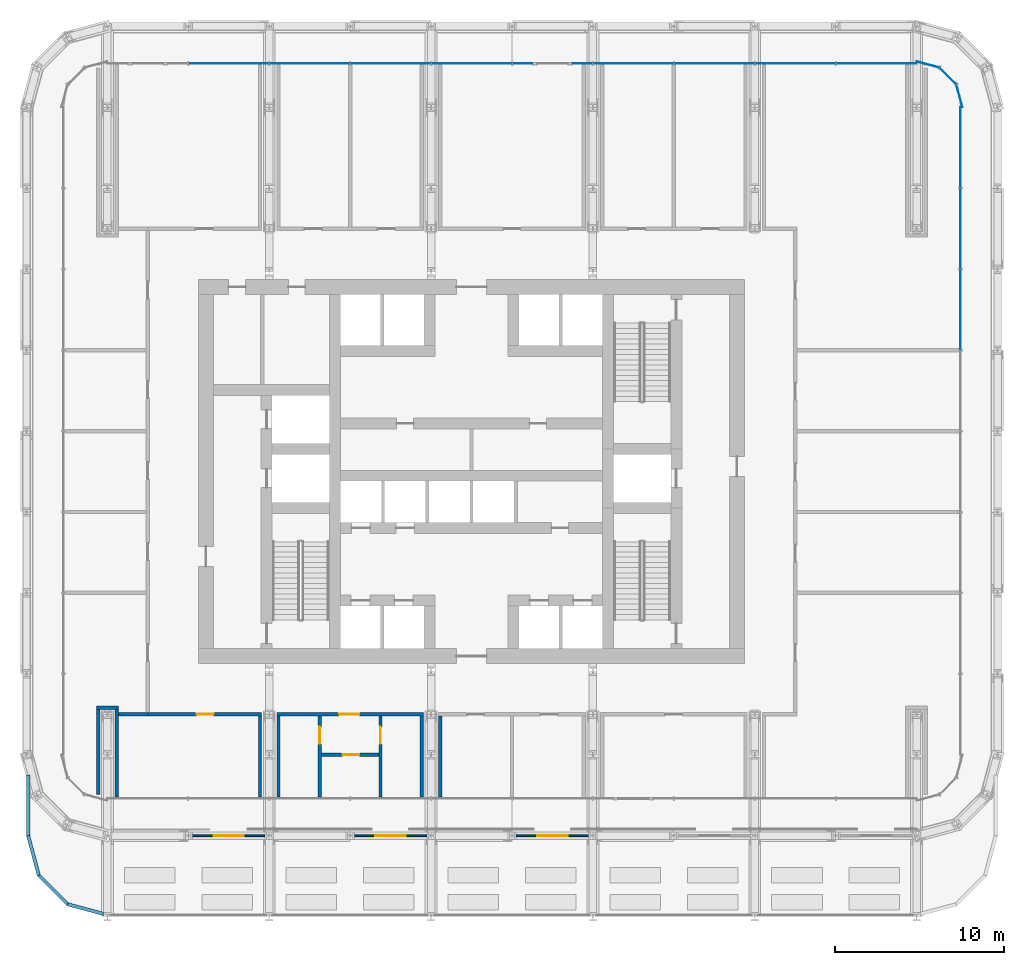
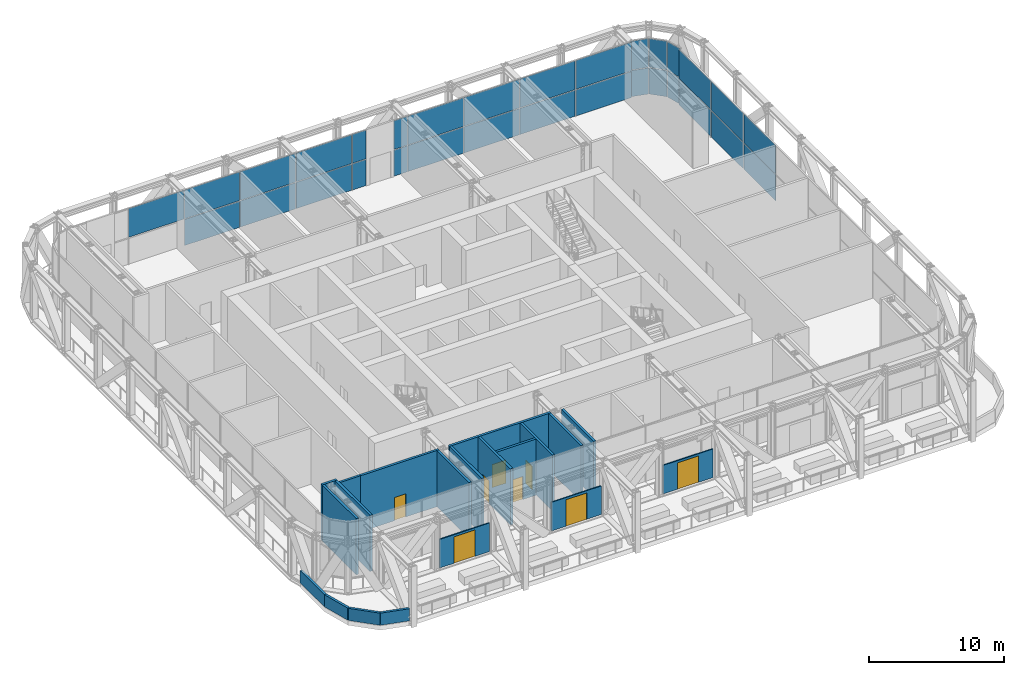
# One storey, part 14 of 23: 31 plates, 20 walls, 8 doors, 8 openings, 3 elements without a shape of their own.
"""IFC4 building model written with IfcOpenShell, lengths in metres."""

from ifc_helpers import new_model, si_unit, direction, frame, frame_2d, origin, origin_2d, place, context, subcontext, project, spatial, rectangle, extrude, material, layer, layer_set, type_object, element, fill, aggregate, save


model = new_model("IFC4")

# Units and contexts
model_context = context("Model", 3, precision=1e-05, world=origin(), true_north=direction((0.0, 1.0)))
body_context = subcontext(model_context, "Body", "Model", "MODEL_VIEW")
ifc_project = project(units=[si_unit("LENGTHUNIT", "METRE"), si_unit("AREAUNIT", "SQUARE_METRE"), si_unit("VOLUMEUNIT", "CUBIC_METRE"), si_unit("PLANEANGLEUNIT", "RADIAN"), si_unit("MASSUNIT", "GRAM", prefix="KILO")], contexts=[model_context])

# Site, building, storey
site_placement = place(None, origin())
site = spatial("IfcSite", under=ifc_project, at=site_placement, CompositionType="ELEMENT")
building_placement = place(site_placement, origin())
building = spatial("IfcBuilding", under=site, at=building_placement, Name="Madar Terraces", CompositionType="ELEMENT")
storey_placement = place(building_placement, frame((0.0, 0.0, 83.800048828125)))
storey = spatial("IfcBuildingStorey", under=building, at=storey_placement, Name="L21", CompositionType="ELEMENT", Elevation=83.800048828125)

# Curtain wall, plates
ifc_material_1 = material(Name="Glass, ceramic frit dark grey, with black aluminium frame", Category="aluminium")
ifc_layer_1 = layer(ifc_material_1, 0.199951171875)
ifc_layer_set_1 = layer_set([ifc_layer_1], Name="Facade curtain wall, tall glazing")
curtain_wall_type = type_object("IfcCurtainWallType", Name="Facade curtain wall, tall glazing", PredefinedType="NOTDEFINED", material=ifc_layer_set_1)
curtain_wall_1_placement = place(storey_placement, origin())
curtain_wall_1 = element("IfcCurtainWall", 1, at=curtain_wall_1_placement, inside=storey, type_object=curtain_wall_type, Name="Outer skin curtain wall east bay 1", PredefinedType="NOTDEFINED")
ifc_material_2 = material(Name="Glass, ceramic frit dark grey", Category="glass")
ifc_layer_2 = layer(ifc_material_2, 0.028076171875)
ifc_layer_set_2 = layer_set([ifc_layer_2], Name="Facade glass panel 28")
plate_type = type_object("IfcPlateType", Name="Facade glass panel 28", PredefinedType="CURTAIN_PANEL", material=ifc_layer_set_2)
plate_1_placement = place(storey_placement, frame((60.199951171875, 36.0, 0.0), z_axis=(0.0, 0.0, 1.0), x_axis=(0.0, 1.0, 0.0)))
plate_1 = element("IfcPlate", 2, at=plate_1_placement, type_object=plate_type, Name="Panel 11", PredefinedType="CURTAIN_PANEL", context=body_context, shape_type="SweptSolid", body=[
    extrude(rectangle(XDim=4.739990234375, YDim=0.028076171875, at=origin_2d()), origin(), (0.0, 0.0, 1.0), 2.3701171875),
])
plate_2_placement = place(storey_placement, frame((60.199951171875, 36.0, 2.4296875), z_axis=(0.0, 0.0, 1.0), x_axis=(0.0, 1.0, 0.0)))
plate_2 = element("IfcPlate", 3, at=plate_2_placement, type_object=plate_type, Name="Panel 12", PredefinedType="CURTAIN_PANEL", context=body_context, shape_type="SweptSolid", body=[
    extrude(rectangle(XDim=4.739990234375, YDim=0.028076171875, at=origin_2d()), origin(), (0.0, 0.0, 1.0), 2.610107421875),
])
plate_3_placement = place(storey_placement, frame((60.199951171875, 40.800048828125, 0.0), z_axis=(0.0, 0.0, 1.0), x_axis=(0.0, 1.0, 0.0)))
plate_3 = element("IfcPlate", 4, at=plate_3_placement, type_object=plate_type, Name="Panel 13", PredefinedType="CURTAIN_PANEL", context=body_context, shape_type="SweptSolid", body=[
    extrude(rectangle(XDim=4.739990234375, YDim=0.028076171875, at=origin_2d()), origin(), (0.0, 0.0, 1.0), 2.3701171875),
])
plate_4_placement = place(storey_placement, frame((60.199951171875, 40.800048828125, 2.4296875), z_axis=(0.0, 0.0, 1.0), x_axis=(0.0, 1.0, 0.0)))
plate_4 = element("IfcPlate", 5, at=plate_4_placement, type_object=plate_type, Name="Panel 14", PredefinedType="CURTAIN_PANEL", context=body_context, shape_type="SweptSolid", body=[
    extrude(rectangle(XDim=4.739990234375, YDim=0.028076171875, at=origin_2d()), origin(), (0.0, 0.0, 1.0), 2.610107421875),
])
plate_5_placement = place(storey_placement, frame((60.199951171875, 45.614990234375, 0.0), z_axis=(0.0, 0.0, 1.0), x_axis=(0.0, 1.0, 0.0)))
plate_5 = element("IfcPlate", 6, at=plate_5_placement, type_object=plate_type, Name="Panel 15", PredefinedType="CURTAIN_PANEL", context=body_context, shape_type="SweptSolid", body=[
    extrude(rectangle(XDim=4.77001953125, YDim=0.028076171875, at=origin_2d()), origin(), (0.0, 0.0, 1.0), 2.3701171875),
])
plate_6_placement = place(storey_placement, frame((60.199951171875, 45.614990234375, 2.4296875), z_axis=(0.0, 0.0, 1.0), x_axis=(0.0, 1.0, 0.0)))
plate_6 = element("IfcPlate", 7, at=plate_6_placement, type_object=plate_type, Name="Panel 16", PredefinedType="CURTAIN_PANEL", context=body_context, shape_type="SweptSolid", body=[
    extrude(rectangle(XDim=4.77001953125, YDim=0.028076171875, at=origin_2d()), origin(), (0.0, 0.0, 1.0), 2.610107421875),
])
aggregate(curtain_wall_1, [plate_1, plate_2, plate_3, plate_4, plate_5, plate_6])

curtain_wall_2_placement = place(storey_placement, origin())
curtain_wall_2 = element("IfcCurtainWall", 8, at=curtain_wall_2_placement, inside=storey, type_object=curtain_wall_type, Name="Outer skin curtain wall north bay 1", PredefinedType="NOTDEFINED")
plate_7_placement = place(storey_placement, frame((55.215087890625, 50.60009765625, 0.0), z_axis=(0.0, 0.0, 1.0), x_axis=(-1.0, 0.0, 0.0)))
plate_7 = element("IfcPlate", 9, at=plate_7_placement, type_object=plate_type, Name="Panel 1", PredefinedType="CURTAIN_PANEL", context=body_context, shape_type="SweptSolid", body=[
    extrude(rectangle(XDim=4.77001953125, YDim=0.028076171875, at=origin_2d()), origin(), (0.0, 0.0, 1.0), 2.3701171875),
])
plate_8_placement = place(storey_placement, frame((55.215087890625, 50.60009765625, 2.4296875), z_axis=(0.0, 0.0, 1.0), x_axis=(-1.0, 0.0, 0.0)))
plate_8 = element("IfcPlate", 10, at=plate_8_placement, type_object=plate_type, Name="Panel 2", PredefinedType="CURTAIN_PANEL", context=body_context, shape_type="SweptSolid", body=[
    extrude(rectangle(XDim=4.77001953125, YDim=0.028076171875, at=origin_2d()), origin(), (0.0, 0.0, 1.0), 2.610107421875),
])
plate_9_placement = place(storey_placement, frame((50.39990234375, 50.60009765625, 0.0), z_axis=(0.0, 0.0, 1.0), x_axis=(-1.0, 0.0, 0.0)))
plate_9 = element("IfcPlate", 11, at=plate_9_placement, type_object=plate_type, Name="Panel 3", PredefinedType="CURTAIN_PANEL", context=body_context, shape_type="SweptSolid", body=[
    extrude(rectangle(XDim=4.739990234375, YDim=0.028076171875, at=origin_2d()), origin(), (0.0, 0.0, 1.0), 2.3701171875),
])
plate_10_placement = place(storey_placement, frame((50.39990234375, 50.60009765625, 2.4296875), z_axis=(0.0, 0.0, 1.0), x_axis=(-1.0, 0.0, 0.0)))
plate_10 = element("IfcPlate", 12, at=plate_10_placement, type_object=plate_type, Name="Panel 4", PredefinedType="CURTAIN_PANEL", context=body_context, shape_type="SweptSolid", body=[
    extrude(rectangle(XDim=4.739990234375, YDim=0.028076171875, at=origin_2d()), origin(), (0.0, 0.0, 1.0), 2.610107421875),
])
plate_11_placement = place(storey_placement, frame((45.60009765625, 50.60009765625, 0.0), z_axis=(0.0, 0.0, 1.0), x_axis=(-1.0, 0.0, 0.0)))
plate_11 = element("IfcPlate", 13, at=plate_11_placement, type_object=plate_type, Name="Panel 5", PredefinedType="CURTAIN_PANEL", context=body_context, shape_type="SweptSolid", body=[
    extrude(rectangle(XDim=4.739990234375, YDim=0.028076171875, at=origin_2d()), origin(), (0.0, 0.0, 1.0), 2.3701171875),
])
plate_12_placement = place(storey_placement, frame((45.60009765625, 50.60009765625, 2.4296875), z_axis=(0.0, 0.0, 1.0), x_axis=(-1.0, 0.0, 0.0)))
plate_12 = element("IfcPlate", 14, at=plate_12_placement, type_object=plate_type, Name="Panel 6", PredefinedType="CURTAIN_PANEL", context=body_context, shape_type="SweptSolid", body=[
    extrude(rectangle(XDim=4.739990234375, YDim=0.028076171875, at=origin_2d()), origin(), (0.0, 0.0, 1.0), 2.610107421875),
])
plate_13_placement = place(storey_placement, frame((40.800048828125, 50.60009765625, 0.0), z_axis=(0.0, 0.0, 1.0), x_axis=(-1.0, 0.0, 0.0)))
plate_13 = element("IfcPlate", 15, at=plate_13_placement, type_object=plate_type, Name="Panel 7", PredefinedType="CURTAIN_PANEL", context=body_context, shape_type="SweptSolid", body=[
    extrude(rectangle(XDim=4.739990234375, YDim=0.028076171875, at=origin_2d()), origin(), (0.0, 0.0, 1.0), 2.3701171875),
])
plate_14_placement = place(storey_placement, frame((40.800048828125, 50.60009765625, 2.4296875), z_axis=(0.0, 0.0, 1.0), x_axis=(-1.0, 0.0, 0.0)))
plate_14 = element("IfcPlate", 16, at=plate_14_placement, type_object=plate_type, Name="Panel 8", PredefinedType="CURTAIN_PANEL", context=body_context, shape_type="SweptSolid", body=[
    extrude(rectangle(XDim=4.739990234375, YDim=0.028076171875, at=origin_2d()), origin(), (0.0, 0.0, 1.0), 2.610107421875),
])
plate_15_placement = place(storey_placement, frame((37.784912109375, 50.60009765625, 0.0), z_axis=(0.0, 0.0, 1.0), x_axis=(-1.0, 0.0, 0.0)))
plate_15 = element("IfcPlate", 17, at=plate_15_placement, type_object=plate_type, Name="Panel 9", PredefinedType="CURTAIN_PANEL", context=body_context, shape_type="SweptSolid", body=[
    extrude(rectangle(XDim=1.169921875, YDim=0.028076171875, at=origin_2d()), origin(), (0.0, 0.0, 1.0), 2.3701171875),
])
plate_16_placement = place(storey_placement, frame((37.784912109375, 50.60009765625, 2.4296875), z_axis=(0.0, 0.0, 1.0), x_axis=(-1.0, 0.0, 0.0)))
plate_16 = element("IfcPlate", 18, at=plate_16_placement, type_object=plate_type, Name="Panel 10", PredefinedType="CURTAIN_PANEL", context=body_context, shape_type="SweptSolid", body=[
    extrude(rectangle(XDim=1.169921875, YDim=0.028076171875, at=origin_2d()), origin(), (0.0, 0.0, 1.0), 2.610107421875),
])
plate_17_placement = place(storey_placement, frame((34.215087890625, 50.60009765625, 0.0), z_axis=(0.0, 0.0, 1.0), x_axis=(-1.0, 0.0, 0.0)))
plate_17 = element("IfcPlate", 19, at=plate_17_placement, type_object=plate_type, Name="Panel 11", PredefinedType="CURTAIN_PANEL", context=body_context, shape_type="SweptSolid", body=[
    extrude(rectangle(XDim=1.169921875, YDim=0.028076171875, at=origin_2d()), origin(), (0.0, 0.0, 1.0), 2.3701171875),
])
plate_18_placement = place(storey_placement, frame((34.215087890625, 50.60009765625, 2.4296875), z_axis=(0.0, 0.0, 1.0), x_axis=(-1.0, 0.0, 0.0)))
plate_18 = element("IfcPlate", 20, at=plate_18_placement, type_object=plate_type, Name="Panel 12", PredefinedType="CURTAIN_PANEL", context=body_context, shape_type="SweptSolid", body=[
    extrude(rectangle(XDim=1.169921875, YDim=0.028076171875, at=origin_2d()), origin(), (0.0, 0.0, 1.0), 2.610107421875),
])
plate_19_placement = place(storey_placement, frame((31.199951171875, 50.60009765625, 0.0), z_axis=(0.0, 0.0, 1.0), x_axis=(-1.0, 0.0, 0.0)))
plate_19 = element("IfcPlate", 21, at=plate_19_placement, type_object=plate_type, Name="Panel 13", PredefinedType="CURTAIN_PANEL", context=body_context, shape_type="SweptSolid", body=[
    extrude(rectangle(XDim=4.739990234375, YDim=0.028076171875, at=origin_2d()), origin(), (0.0, 0.0, 1.0), 2.3701171875),
])
plate_20_placement = place(storey_placement, frame((31.199951171875, 50.60009765625, 2.4296875), z_axis=(0.0, 0.0, 1.0), x_axis=(-1.0, 0.0, 0.0)))
plate_20 = element("IfcPlate", 22, at=plate_20_placement, type_object=plate_type, Name="Panel 14", PredefinedType="CURTAIN_PANEL", context=body_context, shape_type="SweptSolid", body=[
    extrude(rectangle(XDim=4.739990234375, YDim=0.028076171875, at=origin_2d()), origin(), (0.0, 0.0, 1.0), 2.610107421875),
])
plate_21_placement = place(storey_placement, frame((26.39990234375, 50.60009765625, 0.0), z_axis=(0.0, 0.0, 1.0), x_axis=(-1.0, 0.0, 0.0)))
plate_21 = element("IfcPlate", 23, at=plate_21_placement, type_object=plate_type, Name="Panel 15", PredefinedType="CURTAIN_PANEL", context=body_context, shape_type="SweptSolid", body=[
    extrude(rectangle(XDim=4.739990234375, YDim=0.028076171875, at=origin_2d()), origin(), (0.0, 0.0, 1.0), 2.3701171875),
])
plate_22_placement = place(storey_placement, frame((26.39990234375, 50.60009765625, 2.4296875), z_axis=(0.0, 0.0, 1.0), x_axis=(-1.0, 0.0, 0.0)))
plate_22 = element("IfcPlate", 24, at=plate_22_placement, type_object=plate_type, Name="Panel 16", PredefinedType="CURTAIN_PANEL", context=body_context, shape_type="SweptSolid", body=[
    extrude(rectangle(XDim=4.739990234375, YDim=0.028076171875, at=origin_2d()), origin(), (0.0, 0.0, 1.0), 2.610107421875),
])
plate_23_placement = place(storey_placement, frame((21.60009765625, 50.60009765625, 0.0), z_axis=(0.0, 0.0, 1.0), x_axis=(-1.0, 0.0, 0.0)))
plate_23 = element("IfcPlate", 25, at=plate_23_placement, type_object=plate_type, Name="Panel 17", PredefinedType="CURTAIN_PANEL", context=body_context, shape_type="SweptSolid", body=[
    extrude(rectangle(XDim=4.739990234375, YDim=0.028076171875, at=origin_2d()), origin(), (0.0, 0.0, 1.0), 2.3701171875),
])
plate_24_placement = place(storey_placement, frame((21.60009765625, 50.60009765625, 2.4296875), z_axis=(0.0, 0.0, 1.0), x_axis=(-1.0, 0.0, 0.0)))
plate_24 = element("IfcPlate", 26, at=plate_24_placement, type_object=plate_type, Name="Panel 18", PredefinedType="CURTAIN_PANEL", context=body_context, shape_type="SweptSolid", body=[
    extrude(rectangle(XDim=4.739990234375, YDim=0.028076171875, at=origin_2d()), origin(), (0.0, 0.0, 1.0), 2.610107421875),
])
plate_25_placement = place(storey_placement, frame((16.800048828125, 50.60009765625, 2.4296875), z_axis=(0.0, 0.0, 1.0), x_axis=(-1.0, 0.0, 0.0)))
plate_25 = element("IfcPlate", 27, at=plate_25_placement, type_object=plate_type, Name="Panel 20", PredefinedType="CURTAIN_PANEL", context=body_context, shape_type="SweptSolid", body=[
    extrude(rectangle(XDim=4.739990234375, YDim=0.028076171875, at=origin_2d()), origin(), (0.0, 0.0, 1.0), 2.610107421875),
])
aggregate(curtain_wall_2, [plate_7, plate_8, plate_9, plate_10, plate_11, plate_12, plate_13, plate_14, plate_15, plate_16, plate_17, plate_18, plate_19, plate_20, plate_21, plate_22, plate_23, plate_24, plate_25])

curtain_wall_3_placement = place(storey_placement, origin())
curtain_wall_3 = element("IfcCurtainWall", 28, at=curtain_wall_3_placement, inside=storey, type_object=curtain_wall_type, Name="Outer skin curtain wall north-east corner", PredefinedType="NOTDEFINED")
plate_26_placement = place(storey_placement, frame((60.1416015625, 48.66552734375, 0.0), z_axis=(0.0, 0.0, 1.0), x_axis=(-0.258819110244, 0.965925808834, 0.0)))
plate_26 = element("IfcPlate", 29, at=plate_26_placement, type_object=plate_type, Name="Panel 1", PredefinedType="CURTAIN_PANEL", context=body_context, shape_type="SweptSolid", body=[
    extrude(rectangle(XDim=1.3779296875, YDim=0.028076171875, at=origin_2d()), origin(), (0.0, 0.0, 1.0), 2.3701171875),
])
plate_27_placement = place(storey_placement, frame((60.1416015625, 48.66552734375, 2.4296875), z_axis=(0.0, 0.0, 1.0), x_axis=(-0.258819110244, 0.965925808834, 0.0)))
plate_27 = element("IfcPlate", 30, at=plate_27_placement, type_object=plate_type, Name="Panel 2", PredefinedType="CURTAIN_PANEL", context=body_context, shape_type="SweptSolid", body=[
    extrude(rectangle(XDim=1.3779296875, YDim=0.028076171875, at=origin_2d()), origin(), (0.0, 0.0, 1.0), 2.610107421875),
])
plate_28_placement = place(storey_placement, frame((59.457763671875, 49.85791015625, 0.0), z_axis=(0.0, 0.0, 1.0), x_axis=(-0.707106781187, 0.707106781187, 0.0)))
plate_28 = element("IfcPlate", 31, at=plate_28_placement, type_object=plate_type, Name="Panel 3", PredefinedType="CURTAIN_PANEL", context=body_context, shape_type="SweptSolid", body=[
    extrude(rectangle(XDim=1.347900390625, YDim=0.028076171875, at=origin_2d()), origin(), (0.0, 0.0, 1.0), 2.3701171875),
])
plate_29_placement = place(storey_placement, frame((59.457763671875, 49.85791015625, 2.4296875), z_axis=(0.0, 0.0, 1.0), x_axis=(-0.707106781187, 0.707106781187, 0.0)))
plate_29 = element("IfcPlate", 32, at=plate_29_placement, type_object=plate_type, Name="Panel 4", PredefinedType="CURTAIN_PANEL", context=body_context, shape_type="SweptSolid", body=[
    extrude(rectangle(XDim=1.347900390625, YDim=0.028076171875, at=origin_2d()), origin(), (0.0, 0.0, 1.0), 2.610107421875),
])
plate_30_placement = place(storey_placement, frame((58.265625, 50.541748046875, 0.0), z_axis=(0.0, 0.0, 1.0), x_axis=(-0.965925808834, 0.258819110244, 0.0)))
plate_30 = element("IfcPlate", 33, at=plate_30_placement, type_object=plate_type, Name="Panel 5", PredefinedType="CURTAIN_PANEL", context=body_context, shape_type="SweptSolid", body=[
    extrude(rectangle(XDim=1.3779296875, YDim=0.028076171875, at=origin_2d()), origin(), (0.0, 0.0, 1.0), 2.3701171875),
])
plate_31_placement = place(storey_placement, frame((58.265625, 50.541748046875, 2.4296875), z_axis=(0.0, 0.0, 1.0), x_axis=(-0.965925808834, 0.258819110244, 0.0)))
plate_31 = element("IfcPlate", 34, at=plate_31_placement, type_object=plate_type, Name="Panel 6", PredefinedType="CURTAIN_PANEL", context=body_context, shape_type="SweptSolid", body=[
    extrude(rectangle(XDim=1.3779296875, YDim=0.028076171875, at=origin_2d()), origin(), (0.0, 0.0, 1.0), 2.610107421875),
])
aggregate(curtain_wall_3, [plate_26, plate_27, plate_28, plate_29, plate_30, plate_31])

# Wall, opening, door
ifc_material_3 = material(Name="Gypsum board partition, fire-rated")
ifc_layer_3 = layer(ifc_material_3, 0.199951171875)
ifc_layer_set_3 = layer_set([ifc_layer_3], Name="Partition 200 EI 60")
wall_type_1 = type_object("IfcWallType", Name="Partition 200 EI 60", PredefinedType="PARTITIONING", material=ifc_layer_set_3)
wall_1_placement = place(storey_placement, frame((25.699951171875, 9.60009765625, 0.0), z_axis=(0.0, 0.0, 1.0), x_axis=(-1.0, 0.0, 0.0)))
wall_1 = element("IfcWall", 35, at=wall_1_placement, inside=storey, type_object=wall_type_1, Name="Wall WC LOBBY / ACCESSIBLE WC", PredefinedType="PARTITIONING", context=body_context, shape_type="SweptSolid", body=[
    extrude(rectangle(XDim=3.39990234375, YDim=0.199951171875, at=frame_2d((1.699951171875, 0.0))), origin(), (0.0, 0.0, 1.0), 5.099853515625),
])
opening_1_placement = place(wall_1_placement, frame((1.14990234375, 0.0, 0.0)))
opening_1 = element("IfcOpeningElement", 36, at=opening_1_placement, cuts=wall_1, Name="Opening D31", PredefinedType="OPENING", context=body_context, shape_type="SweptSolid", body=[
    extrude(rectangle(XDim=1.0, YDim=2.10009765625, at=frame_2d((0.5, 1.050048828125))), frame((0.0, 0.10986328125, 0.0), z_axis=(0.0, -1.0, 0.0), x_axis=(1.0, 0.0, 0.0)), (0.0, 0.0, 1.0), 0.219970703125),
])
ifc_material_4 = material(Name="Timber door leaf, fire-rated", Category="wood")
door_type_1 = type_object("IfcDoorType", Name="Podium door 1000 x 2100 FD30S", OperationType="NOTDEFINED", PredefinedType="DOOR", material=ifc_material_4)
door_1_placement = place(opening_1_placement, origin())
door_1 = element("IfcDoor", 37, at=door_1_placement, inside=storey, type_object=door_type_1, Name="Door WC LOBBY / ACCESSIBLE WC", OperationType="SINGLE_SWING_LEFT", OverallHeight=2.10009765625, OverallWidth=1.0, PredefinedType="DOOR", context=body_context, shape_type="SweptSolid", body=[
    extrude(rectangle(XDim=1.0, YDim=2.10009765625, at=frame_2d((0.5, 1.050048828125))), frame((0.0, 0.02490234375, 0.0), z_axis=(0.0, -1.0, 0.0), x_axis=(1.0, 0.0, 0.0)), (0.0, 0.0, 1.0), 0.050048828125),
])
fill(opening_1, door_1)

# Wall
wall_2_placement = place(storey_placement, frame((10.25, 12.0, 0.0), z_axis=(0.0, 0.0, 1.0), x_axis=(1.0, 0.0, 0.0)))
element("IfcWall", 38, at=wall_2_placement, inside=storey, type_object=wall_type_1, Name="Wall ACTIVITY ROOM / OFFICE", PredefinedType="PARTITIONING", context=body_context, shape_type="SweptSolid", body=[
    extrude(rectangle(XDim=1.75, YDim=0.199951171875, at=frame_2d((0.875, 0.0))), origin(), (0.0, 0.0, 1.0), 5.099853515625),
])

# Wall, opening, door
wall_3_placement = place(storey_placement, frame((18.75, 12.0, 0.0), z_axis=(0.0, 0.0, 1.0), x_axis=(-1.0, 0.0, 0.0)))
wall_3 = element("IfcWall", 39, at=wall_3_placement, inside=storey, type_object=wall_type_1, Name="Wall ACTIVITY ROOM / RING CORRIDOR", PredefinedType="PARTITIONING", context=body_context, shape_type="SweptSolid", body=[
    extrude(rectangle(XDim=6.75, YDim=0.199951171875, at=frame_2d((3.375, 0.0))), origin(), (0.0, 0.0, 1.0), 5.099853515625),
])
opening_2_placement = place(wall_3_placement, frame((2.85009765625, 0.0, 0.0)))
opening_2 = element("IfcOpeningElement", 40, at=opening_2_placement, cuts=wall_3, Name="Opening D31", PredefinedType="OPENING", context=body_context, shape_type="SweptSolid", body=[
    extrude(rectangle(XDim=1.0, YDim=2.10009765625, at=frame_2d((0.5, 1.050048828125))), frame((0.0, 0.10986328125, 0.0), z_axis=(0.0, -1.0, 0.0), x_axis=(1.0, 0.0, 0.0)), (0.0, 0.0, 1.0), 0.219970703125),
])
door_2_placement = place(opening_2_placement, origin())
door_2 = element("IfcDoor", 41, at=door_2_placement, inside=storey, type_object=door_type_1, Name="Door ACTIVITY ROOM / RING CORRIDOR", OperationType="SINGLE_SWING_LEFT", OverallHeight=2.10009765625, OverallWidth=1.0, PredefinedType="DOOR", context=body_context, shape_type="SweptSolid", body=[
    extrude(rectangle(XDim=1.0, YDim=2.10009765625, at=frame_2d((0.5, 1.050048828125))), frame((0.0, 0.02490234375, 0.0), z_axis=(0.0, -1.0, 0.0), x_axis=(1.0, 0.0, 0.0)), (0.0, 0.0, 1.0), 0.050048828125),
])
fill(opening_2, door_2)

wall_4_placement = place(storey_placement, frame((19.64990234375, 12.0, 0.0), z_axis=(0.0, 0.0, 1.0), x_axis=(1.0, 0.0, 0.0)))
wall_4 = element("IfcWall", 42, at=wall_4_placement, inside=storey, type_object=wall_type_1, Name="Wall WC LOBBY + WC MEN", PredefinedType="PARTITIONING", context=body_context, shape_type="SweptSolid", body=[
    extrude(rectangle(XDim=8.7001953125, YDim=0.199951171875, at=frame_2d((4.35009765625, 0.0))), origin(), (0.0, 0.0, 1.0), 5.099853515625),
])
opening_3_placement = place(wall_4_placement, frame((3.699951171875, 0.0, 0.0)))
opening_3 = element("IfcOpeningElement", 43, at=opening_3_placement, cuts=wall_4, Name="Opening D32", PredefinedType="OPENING", context=body_context, shape_type="SweptSolid", body=[
    extrude(rectangle(XDim=1.199951171875, YDim=2.10009765625, at=frame_2d((0.60009765625, 1.050048828125))), frame((0.0, 0.10986328125, 0.0), z_axis=(0.0, -1.0, 0.0), x_axis=(1.0, 0.0, 0.0)), (0.0, 0.0, 1.0), 0.219970703125),
])
ifc_material_5 = material(Name="Timber door leaf, fire-rated", Category="wood")
door_type_2 = type_object("IfcDoorType", Name="Podium door 1200 x 2100 FD30S", OperationType="NOTDEFINED", PredefinedType="DOOR", material=ifc_material_5)
door_3_placement = place(opening_3_placement, origin())
door_3 = element("IfcDoor", 44, at=door_3_placement, inside=storey, type_object=door_type_2, Name="Door WC LOBBY / RING CORRIDOR", OperationType="SINGLE_SWING_LEFT", OverallHeight=2.10009765625, OverallWidth=1.199951171875, PredefinedType="DOOR", context=body_context, shape_type="SweptSolid", body=[
    extrude(rectangle(XDim=1.199951171875, YDim=2.10009765625, at=frame_2d((0.60009765625, 1.050048828125))), frame((0.0, 0.02490234375, 0.0), z_axis=(0.0, -1.0, 0.0), x_axis=(1.0, 0.0, 0.0)), (0.0, 0.0, 1.0), 0.050048828125),
])
fill(opening_3, door_3)

wall_5_placement = place(storey_placement, frame((22.199951171875, 7.10009765625, 0.0), z_axis=(0.0, 0.0, 1.0), x_axis=(0.0, 1.0, 0.0)))
wall_5 = element("IfcWall", 45, at=wall_5_placement, inside=storey, type_object=wall_type_1, Name="Wall WC MEN", PredefinedType="PARTITIONING", context=body_context, shape_type="SweptSolid", body=[
    extrude(rectangle(XDim=4.7998046875, YDim=0.199951171875, at=frame_2d((2.39990234375, 0.0))), origin(), (0.0, 0.0, 1.0), 5.099853515625),
])
opening_4_placement = place(wall_5_placement, frame((3.14990234375, 0.0, 0.0)))
opening_4 = element("IfcOpeningElement", 46, at=opening_4_placement, cuts=wall_5, Name="Opening D31", PredefinedType="OPENING", context=body_context, shape_type="SweptSolid", body=[
    extrude(rectangle(XDim=1.0, YDim=2.10009765625, at=frame_2d((0.5, 1.050048828125))), frame((0.0, 0.10986328125, 0.0), z_axis=(0.0, -1.0, 0.0), x_axis=(1.0, 0.0, 0.0)), (0.0, 0.0, 1.0), 0.219970703125),
])
door_4_placement = place(opening_4_placement, origin())
door_4 = element("IfcDoor", 47, at=door_4_placement, inside=storey, type_object=door_type_1, Name="Door WC MEN / WC LOBBY", OperationType="SINGLE_SWING_LEFT", OverallHeight=2.10009765625, OverallWidth=1.0, PredefinedType="DOOR", context=body_context, shape_type="SweptSolid", body=[
    extrude(rectangle(XDim=1.0, YDim=2.10009765625, at=frame_2d((0.5, 1.050048828125))), frame((0.0, 0.02490234375, 0.0), z_axis=(0.0, -1.0, 0.0), x_axis=(1.0, 0.0, 0.0)), (0.0, 0.0, 1.0), 0.050048828125),
])
fill(opening_4, door_4)

wall_6_placement = place(storey_placement, frame((25.800048828125, 11.89990234375, 0.0), z_axis=(0.0, 0.0, 1.0), x_axis=(0.0, -1.0, 0.0)))
wall_6 = element("IfcWall", 48, at=wall_6_placement, inside=storey, type_object=wall_type_1, Name="Wall WC LOBBY + WC WOMEN", PredefinedType="PARTITIONING", context=body_context, shape_type="SweptSolid", body=[
    extrude(rectangle(XDim=4.7998046875, YDim=0.199951171875, at=frame_2d((2.39990234375, 0.0))), origin(), (0.0, 0.0, 1.0), 5.099853515625),
])
opening_5_placement = place(wall_6_placement, frame((0.64990234375, 0.0, 0.0)))
opening_5 = element("IfcOpeningElement", 49, at=opening_5_placement, cuts=wall_6, Name="Opening D31", PredefinedType="OPENING", context=body_context, shape_type="SweptSolid", body=[
    extrude(rectangle(XDim=1.0, YDim=2.10009765625, at=frame_2d((0.5, 1.050048828125))), frame((0.0, 0.10986328125, 0.0), z_axis=(0.0, -1.0, 0.0), x_axis=(1.0, 0.0, 0.0)), (0.0, 0.0, 1.0), 0.219970703125),
])
door_5_placement = place(opening_5_placement, origin())
door_5 = element("IfcDoor", 50, at=door_5_placement, inside=storey, type_object=door_type_1, Name="Door WC LOBBY / WC WOMEN", OperationType="SINGLE_SWING_RIGHT", OverallHeight=2.10009765625, OverallWidth=1.0, PredefinedType="DOOR", context=body_context, shape_type="SweptSolid", body=[
    extrude(rectangle(XDim=1.0, YDim=2.10009765625, at=frame_2d((0.5, 1.050048828125))), frame((0.0, 0.02490234375, 0.0), z_axis=(0.0, -1.0, 0.0), x_axis=(1.0, 0.0, 0.0)), (0.0, 0.0, 1.0), 0.050048828125),
])
fill(opening_5, door_5)

# Walls
ifc_material_6 = material(Name="Gypsum board partition on metal studs")
ifc_layer_4 = layer(ifc_material_6, 0.199951171875)
ifc_layer_set_4 = layer_set([ifc_layer_4], Name="Partition 200 plain")
wall_type_2 = type_object("IfcWallType", Name="Partition 200 plain", PredefinedType="PARTITIONING", material=ifc_layer_set_4)
wall_7_placement = place(storey_placement, frame((8.949951171875, 12.39990234375, 0.0), z_axis=(0.0, 0.0, 1.0), x_axis=(1.0, 0.0, 0.0)))
element("IfcWall", 51, at=wall_7_placement, inside=storey, type_object=wall_type_2, Name="Wall OFFICE / TRUSS SLOT", PredefinedType="PARTITIONING", context=body_context, shape_type="SweptSolid", body=[
    extrude(rectangle(XDim=1.300048828125, YDim=0.199951171875, at=frame_2d((0.64990234375, 0.0))), origin(), (0.0, 0.0, 1.0), 5.099853515625),
])
wall_8_placement = place(storey_placement, frame((9.050048828125, 7.25, 0.0), z_axis=(0.0, 0.0, 1.0), x_axis=(0.0, 1.0, 0.0)))
element("IfcWall", 52, at=wall_8_placement, inside=storey, type_object=wall_type_2, Name="Wall OFFICE / TRUSS SLOT", PredefinedType="PARTITIONING", context=body_context, shape_type="SweptSolid", body=[
    extrude(rectangle(XDim=5.050048828125, YDim=0.199951171875, at=frame_2d((2.52490234375, 0.0))), origin(), (0.0, 0.0, 1.0), 5.099853515625),
])
wall_9_placement = place(storey_placement, frame((10.14990234375, 7.10009765625, 0.0), z_axis=(0.0, 0.0, 1.0), x_axis=(0.0, 1.0, 0.0)))
element("IfcWall", 53, at=wall_9_placement, inside=storey, type_object=wall_type_2, Name="Wall ACTIVITY ROOM + OFFICE", PredefinedType="PARTITIONING", context=body_context, shape_type="SweptSolid", body=[
    extrude(rectangle(XDim=5.199951171875, YDim=0.199951171875, at=frame_2d((2.60009765625, 0.0))), origin(), (0.0, 0.0, 1.0), 5.099853515625),
])
for number, where, z_axis, x_axis, name in (
    (54, (18.64990234375, 7.10009765625, 0.0), (0.0, 0.0, 1.0), (0.0, 1.0, 0.0), "Wall ACTIVITY ROOM / TRUSS SLOT"),
    (55, (19.75, 7.10009765625, 0.0), (0.0, 0.0, 1.0), (0.0, 1.0, 0.0), "Wall WC MEN / TRUSS SLOT"),
    (56, (28.25, 7.10009765625, 0.0), (0.0, 0.0, 1.0), (0.0, 1.0, 0.0), "Wall WC WOMEN / TRUSS SLOT"),
    (57, (29.35009765625, 7.10009765625, 0.0), (0.0, 0.0, 1.0), (0.0, 1.0, 0.0), "Wall PARCEL STORE / TRUSS SLOT"),
):
    element("IfcWall", number, at=place(storey_placement, frame(where, z_axis=z_axis, x_axis=x_axis)), inside=storey, type_object=wall_type_2, Name=name, PredefinedType="PARTITIONING", context=body_context, shape_type="SweptSolid", body=[
        extrude(rectangle(XDim=4.7998046875, YDim=0.199951171875, at=frame_2d((2.39990234375, 0.0))), origin(), (0.0, 0.0, 1.0), 5.099853515625),
    ])
ifc_material_7 = material(Name="Concrete C40/50", Category="concrete")
ifc_layer_5 = layer(ifc_material_7, 0.199951171875)
ifc_layer_set_5 = layer_set([ifc_layer_5], Name="Roof parapet 200")
wall_type_3 = type_object("IfcWallType", Name="Roof parapet 200", PredefinedType="PARAPET", material=ifc_layer_set_5)
wall_10_placement = place(storey_placement, frame((4.89990234375, 8.400634765625, 0.0400390625), z_axis=(0.0, 0.0, 1.0), x_axis=(0.0, -1.0, 0.0)))
element("IfcWall", 58, at=wall_10_placement, inside=storey, type_object=wall_type_3, Name="Roof parapet", PredefinedType="PARAPET", context=body_context, shape_type="SweptSolid", body=[
    extrude(rectangle(XDim=3.6005859375, YDim=0.199951171875, at=frame_2d((1.80029296875, 0.0))), origin(), (0.0, 0.0, 1.0), 1.099853515625),
])
wall_11_placement = place(storey_placement, frame((4.89990234375, 4.800048828125, 0.0400390625), z_axis=(0.0, 0.0, 1.0), x_axis=(0.25888655274, -0.965907735144, 0.0)))
element("IfcWall", 59, at=wall_11_placement, inside=storey, type_object=wall_type_3, Name="Roof parapet", PredefinedType="PARAPET", context=body_context, shape_type="SweptSolid", body=[
    extrude(rectangle(XDim=2.43310546875, YDim=0.199951171875, at=frame_2d((1.216552734375, 0.0))), origin(), (0.0, 0.0, 1.0), 1.099853515625),
])
wall_12_placement = place(storey_placement, frame((5.52978515625, 2.449951171875, 0.0400390625), z_axis=(0.0, 0.0, 1.0), x_axis=(0.707106781187, -0.707106781187, 0.0)))
element("IfcWall", 60, at=wall_12_placement, inside=storey, type_object=wall_type_3, Name="Roof parapet", PredefinedType="PARAPET", context=body_context, shape_type="SweptSolid", body=[
    extrude(rectangle(XDim=2.432861328125, YDim=0.199951171875, at=frame_2d((1.21630859375, 0.0))), origin(), (0.0, 0.0, 1.0), 1.099853515625),
])
wall_13_placement = place(storey_placement, frame((7.25, 0.729736328125, 0.0400390625), z_axis=(0.0, 0.0, 1.0), x_axis=(0.965911247431, -0.258873448014, 0.0)))
element("IfcWall", 61, at=wall_13_placement, inside=storey, type_object=wall_type_3, Name="Roof parapet", PredefinedType="PARAPET", context=body_context, shape_type="SweptSolid", body=[
    extrude(rectangle(XDim=2.220947265625, YDim=0.199951171875, at=frame_2d((1.1103515625, 0.0))), origin(), (0.0, 0.0, 1.0), 1.099853515625),
])

# Wall, opening, door
ifc_material_8 = material(Name="Steel S355, powder-coated", Category="steel")
ifc_layer_6 = layer(ifc_material_8, 0.10009765625)
ifc_layer_set_6 = layer_set([ifc_layer_6], Name="Terrace gate frame 100")
wall_type_4 = type_object("IfcWallType", Name="Terrace gate frame 100", PredefinedType="SOLIDWALL", material=ifc_layer_set_6)
wall_14_placement = place(storey_placement, frame((18.951171875, 4.800048828125, 0.128662109375), z_axis=(0.0, 0.0, 1.0), x_axis=(-1.0, 0.0, 0.0)))
wall_14 = element("IfcWall", 62, at=wall_14_placement, inside=storey, type_object=wall_type_4, Name="Terrace gate frame", PredefinedType="SOLIDWALL", context=body_context, shape_type="SweptSolid", body=[
    extrude(rectangle(XDim=4.30224609375, YDim=0.10009765625, at=frame_2d((2.151123046875, 0.0))), origin(), (0.0, 0.0, 1.0), 2.599853515625),
])
opening_6_placement = place(wall_14_placement, frame((1.2509765625, 0.0, 0.0)))
opening_6 = element("IfcOpeningElement", 63, at=opening_6_placement, cuts=wall_14, Name="Opening ED9", PredefinedType="OPENING", context=body_context, shape_type="SweptSolid", body=[
    extrude(rectangle(XDim=1.800048828125, YDim=2.39990234375, at=frame_2d((0.89990234375, 1.199951171875))), frame((0.0, 0.06005859375, 0.0), z_axis=(0.0, -1.0, 0.0), x_axis=(1.0, 0.0, 0.0)), (0.0, 0.0, 1.0), 0.1201171875),
])
ifc_material_9 = material(Name="Steel, powder-coated, with safety glazing", Category="steel")
door_type_3 = type_object("IfcDoorType", Name="Terrace gate door 1800 x 2400", OperationType="NOTDEFINED", PredefinedType="DOOR", material=ifc_material_9)
door_6_placement = place(opening_6_placement, origin())
door_6 = element("IfcDoor", 64, at=door_6_placement, inside=storey, type_object=door_type_3, Name="Terrace gate", OperationType="DOUBLE_DOOR_SINGLE_SWING", OverallHeight=2.39990234375, OverallWidth=1.800048828125, PredefinedType="DOOR", context=body_context, shape_type="SweptSolid", body=[
    extrude(rectangle(XDim=1.800048828125, YDim=2.39990234375, at=frame_2d((0.89990234375, 1.199951171875))), frame((0.0, 0.02490234375, 0.0), z_axis=(0.0, -1.0, 0.0), x_axis=(1.0, 0.0, 0.0)), (0.0, 0.0, 1.0), 0.050048828125),
])
fill(opening_6, door_6)

wall_15_placement = place(storey_placement, frame((28.551025390625, 4.800048828125, 0.128662109375), z_axis=(0.0, 0.0, 1.0), x_axis=(-1.0, 0.0, 0.0)))
wall_15 = element("IfcWall", 65, at=wall_15_placement, inside=storey, type_object=wall_type_4, Name="Terrace gate frame", PredefinedType="SOLIDWALL", context=body_context, shape_type="SweptSolid", body=[
    extrude(rectangle(XDim=4.302001953125, YDim=0.10009765625, at=frame_2d((2.15087890625, 0.0))), origin(), (0.0, 0.0, 1.0), 2.599853515625),
])
opening_7_placement = place(wall_15_placement, frame((1.2509765625, 0.0, 0.0)))
opening_7 = element("IfcOpeningElement", 66, at=opening_7_placement, cuts=wall_15, Name="Opening ED9", PredefinedType="OPENING", context=body_context, shape_type="SweptSolid", body=[
    extrude(rectangle(XDim=1.800048828125, YDim=2.39990234375, at=frame_2d((0.89990234375, 1.199951171875))), frame((0.0, 0.06005859375, 0.0), z_axis=(0.0, -1.0, 0.0), x_axis=(1.0, 0.0, 0.0)), (0.0, 0.0, 1.0), 0.1201171875),
])
door_7_placement = place(opening_7_placement, origin())
door_7 = element("IfcDoor", 67, at=door_7_placement, inside=storey, type_object=door_type_3, Name="Terrace gate", OperationType="DOUBLE_DOOR_SINGLE_SWING", OverallHeight=2.39990234375, OverallWidth=1.800048828125, PredefinedType="DOOR", context=body_context, shape_type="SweptSolid", body=[
    extrude(rectangle(XDim=1.800048828125, YDim=2.39990234375, at=frame_2d((0.89990234375, 1.199951171875))), frame((0.0, 0.02490234375, 0.0), z_axis=(0.0, -1.0, 0.0), x_axis=(1.0, 0.0, 0.0)), (0.0, 0.0, 1.0), 0.050048828125),
])
fill(opening_7, door_7)

wall_16_placement = place(storey_placement, frame((38.151123046875, 4.800048828125, 0.128662109375), z_axis=(0.0, 0.0, 1.0), x_axis=(-1.0, 0.0, 0.0)))
wall_16 = element("IfcWall", 68, at=wall_16_placement, inside=storey, type_object=wall_type_4, Name="Terrace gate frame", PredefinedType="SOLIDWALL", context=body_context, shape_type="SweptSolid", body=[
    extrude(rectangle(XDim=4.30224609375, YDim=0.10009765625, at=frame_2d((2.151123046875, 0.0))), origin(), (0.0, 0.0, 1.0), 2.599853515625),
])
opening_8_placement = place(wall_16_placement, frame((1.2509765625, 0.0, 0.0)))
opening_8 = element("IfcOpeningElement", 69, at=opening_8_placement, cuts=wall_16, Name="Opening ED9", PredefinedType="OPENING", context=body_context, shape_type="SweptSolid", body=[
    extrude(rectangle(XDim=1.800048828125, YDim=2.39990234375, at=frame_2d((0.89990234375, 1.199951171875))), frame((0.0, 0.06005859375, 0.0), z_axis=(0.0, -1.0, 0.0), x_axis=(1.0, 0.0, 0.0)), (0.0, 0.0, 1.0), 0.1201171875),
])
door_8_placement = place(opening_8_placement, origin())
door_8 = element("IfcDoor", 70, at=door_8_placement, inside=storey, type_object=door_type_3, Name="Terrace gate", OperationType="DOUBLE_DOOR_SINGLE_SWING", OverallHeight=2.39990234375, OverallWidth=1.800048828125, PredefinedType="DOOR", context=body_context, shape_type="SweptSolid", body=[
    extrude(rectangle(XDim=1.800048828125, YDim=2.39990234375, at=frame_2d((0.89990234375, 1.199951171875))), frame((0.0, 0.02490234375, 0.0), z_axis=(0.0, -1.0, 0.0), x_axis=(1.0, 0.0, 0.0)), (0.0, 0.0, 1.0), 0.050048828125),
])
fill(opening_8, door_8)

save(model, "model.ifc")
